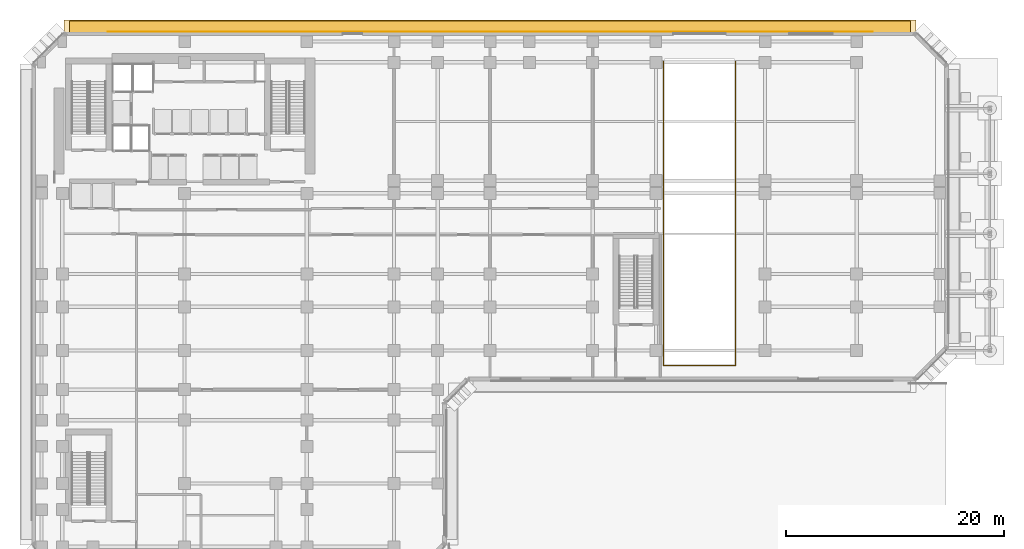
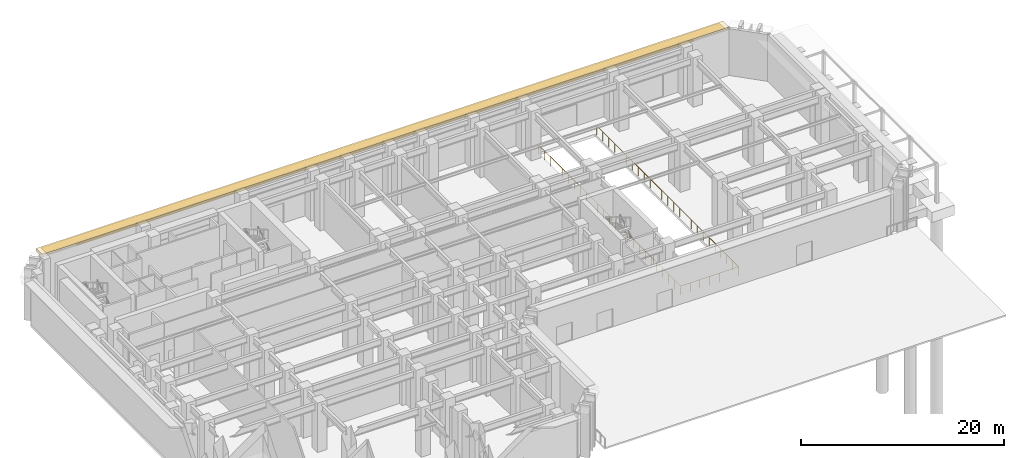
# One storey, part 16 of 18: 2 coverings, 1 railing, 1 shading device.
"""IFC4 building model written with IfcOpenShell, lengths in metres."""

from ifc_helpers import new_model, si_unit, direction, frame, origin, origin_2d, place, context, subcontext, project, spatial, rectangle, circle, extrude, material, layer, layer_set, type_object, element, save


model = new_model("IFC4")

# Units and contexts
model_context = context("Model", 3, precision=1e-05, world=origin(), true_north=direction((0.0, 1.0)))
body_context = subcontext(model_context, "Body", "Model", "MODEL_VIEW")
ifc_project = project(units=[si_unit("LENGTHUNIT", "METRE"), si_unit("AREAUNIT", "SQUARE_METRE"), si_unit("VOLUMEUNIT", "CUBIC_METRE"), si_unit("PLANEANGLEUNIT", "RADIAN"), si_unit("MASSUNIT", "GRAM", prefix="KILO")], contexts=[model_context])

# Site, building, storey
site_placement = place(None, origin())
site = spatial("IfcSite", under=ifc_project, at=site_placement, CompositionType="ELEMENT")
building_placement = place(site_placement, origin())
building = spatial("IfcBuilding", under=site, at=building_placement, Name="Kefirva Bronze Tower", CompositionType="ELEMENT")
storey_placement = place(building_placement, origin())
storey = spatial("IfcBuildingStorey", under=building, at=storey_placement, Name="L00", CompositionType="ELEMENT", Elevation=0.0)

# Covering
ifc_material_1 = material(Name="Bronze anodised aluminium", Category="aluminium")
ifc_layer_1 = layer(ifc_material_1, 0.02001953125, Name="Bronze anodised aluminium")
ifc_layer_set_1 = layer_set([ifc_layer_1], Name="Bronze anodised aluminium")
covering_type_1 = type_object("IfcCoveringType", Name="Anodised Bronze Spandrel Cladding 20mm", PredefinedType="CLADDING", material=ifc_layer_set_1)
covering_1_placement = place(storey_placement, frame((40.0, 48.010009765625, 5.199951171875), z_axis=(0.0, 0.0, 1.0), x_axis=(-1.0, 0.0, 0.0)))
element("IfcCovering", 1, at=covering_1_placement, inside=storey, type_object=covering_type_1, Name="L00 Bronze Spandrel Cladding 9", PredefinedType="CLADDING", context=body_context, shape_type="SweptSolid", body=[
    extrude(rectangle(XDim=70.10107421875, YDim=0.02001953125, at=origin_2d()), origin(), (0.0, 0.0, 1.0), 0.39990234375),
])

# Railing
ifc_material_2 = material(Name="Stainless steel 316", Category="steel")
railing_type = type_object("IfcRailingType", Name="Interior Stair Guardrail 1100mm", PredefinedType="GUARDRAIL", material=ifc_material_2)
railing_placement = place(storey_placement, frame((55.89990234375, 45.300048828125, 0.0)))
element("IfcRailing", 2, at=railing_placement, inside=storey, type_object=railing_type, Name="L00 Car Ramp Well Guardrail", PredefinedType="GUARDRAIL", context=body_context, shape_type="SweptSolid", body=[
    extrude(circle(Radius=0.02392578125, at=origin_2d()), frame((0.0, 0.0, 1.076171875), z_axis=(0.0, -1.0, 0.0), x_axis=(1.0, 0.0, 0.0)), (0.0, 0.0, 1.0), 27.900146484375),
    extrude(circle(Radius=0.02392578125, at=origin_2d()), frame((0.0, -27.900146484375, 1.076171875), z_axis=(1.0, 0.0, 0.0), x_axis=(0.0, 1.0, 0.0)), (0.0, 0.0, 1.0), 6.60009765625),
    extrude(circle(Radius=0.02392578125, at=origin_2d()), frame((6.60009765625, -27.900146484375, 1.076171875), z_axis=(0.0, 1.0, 0.0), x_axis=(-1.0, 0.0, 0.0)), (0.0, 0.0, 1.0), 27.900146484375),
    extrude(circle(Radius=0.02099609375, at=origin_2d()), origin(), (0.0, 0.0, 1.0), 1.052001953125),
    extrude(circle(Radius=0.02099609375, at=origin_2d()), frame((0.0, -1.16259765625, 0.0)), (0.0, 0.0, 1.0), 1.052001953125),
    extrude(circle(Radius=0.02099609375, at=origin_2d()), frame((0.0, -2.324951171875, 0.0)), (0.0, 0.0, 1.0), 1.052001953125),
    extrude(circle(Radius=0.02099609375, at=origin_2d()), frame((0.0, -3.487548828125, 0.0)), (0.0, 0.0, 1.0), 1.052001953125),
    extrude(circle(Radius=0.02099609375, at=origin_2d()), frame((0.0, -4.64990234375, 0.0)), (0.0, 0.0, 1.0), 1.052001953125),
    extrude(circle(Radius=0.02099609375, at=origin_2d()), frame((0.0, -5.8125, 0.0)), (0.0, 0.0, 1.0), 1.052001953125),
    extrude(circle(Radius=0.02099609375, at=origin_2d()), frame((0.0, -6.97509765625, 0.0)), (0.0, 0.0, 1.0), 1.052001953125),
    extrude(circle(Radius=0.02099609375, at=origin_2d()), frame((0.0, -8.137451171875, 0.0)), (0.0, 0.0, 1.0), 1.052001953125),
    extrude(circle(Radius=0.02099609375, at=origin_2d()), frame((0.0, -9.300048828125, 0.0)), (0.0, 0.0, 1.0), 1.052001953125),
    extrude(circle(Radius=0.02099609375, at=origin_2d()), frame((0.0, -10.462646484375, 0.0)), (0.0, 0.0, 1.0), 1.052001953125),
    extrude(circle(Radius=0.02099609375, at=origin_2d()), frame((0.0, -11.625, 0.0)), (0.0, 0.0, 1.0), 1.052001953125),
    extrude(circle(Radius=0.02099609375, at=origin_2d()), frame((0.0, -12.78759765625, 0.0)), (0.0, 0.0, 1.0), 1.052001953125),
    extrude(circle(Radius=0.02099609375, at=origin_2d()), frame((0.0, -13.9501953125, 0.0)), (0.0, 0.0, 1.0), 1.052001953125),
    extrude(circle(Radius=0.02099609375, at=origin_2d()), frame((0.0, -15.112548828125, 0.0)), (0.0, 0.0, 1.0), 1.052001953125),
    extrude(circle(Radius=0.02099609375, at=origin_2d()), frame((0.0, -16.275146484375, 0.0)), (0.0, 0.0, 1.0), 1.052001953125),
    extrude(circle(Radius=0.02099609375, at=origin_2d()), frame((0.0, -17.4375, 0.0)), (0.0, 0.0, 1.0), 1.052001953125),
    extrude(circle(Radius=0.02099609375, at=origin_2d()), frame((0.0, -18.60009765625, 0.0)), (0.0, 0.0, 1.0), 1.052001953125),
    extrude(circle(Radius=0.02099609375, at=origin_2d()), frame((0.0, -19.7626953125, 0.0)), (0.0, 0.0, 1.0), 1.052001953125),
    extrude(circle(Radius=0.02099609375, at=origin_2d()), frame((0.0, -20.925048828125, 0.0)), (0.0, 0.0, 1.0), 1.052001953125),
    extrude(circle(Radius=0.02099609375, at=origin_2d()), frame((0.0, -22.087646484375, 0.0)), (0.0, 0.0, 1.0), 1.052001953125),
    extrude(circle(Radius=0.02099609375, at=origin_2d()), frame((0.0, -23.25, 0.0)), (0.0, 0.0, 1.0), 1.052001953125),
    extrude(circle(Radius=0.02099609375, at=origin_2d()), frame((0.0, -24.41259765625, 0.0)), (0.0, 0.0, 1.0), 1.052001953125),
    extrude(circle(Radius=0.02099609375, at=origin_2d()), frame((0.0, -25.5751953125, 0.0)), (0.0, 0.0, 1.0), 1.052001953125),
    extrude(circle(Radius=0.02099609375, at=origin_2d()), frame((0.0, -26.737548828125, 0.0)), (0.0, 0.0, 1.0), 1.052001953125),
    extrude(circle(Radius=0.02099609375, at=origin_2d()), frame((0.0, -27.900146484375, 0.0)), (0.0, 0.0, 1.0), 1.052001953125),
    extrude(circle(Radius=0.02099609375, at=origin_2d()), frame((1.10009765625, -27.900146484375, 0.0)), (0.0, 0.0, 1.0), 1.052001953125),
    extrude(circle(Radius=0.02099609375, at=origin_2d()), frame((2.199951171875, -27.900146484375, 0.0)), (0.0, 0.0, 1.0), 1.052001953125),
    extrude(circle(Radius=0.02099609375, at=origin_2d()), frame((3.300048828125, -27.900146484375, 0.0)), (0.0, 0.0, 1.0), 1.052001953125),
    extrude(circle(Radius=0.02099609375, at=origin_2d()), frame((4.400146484375, -27.900146484375, 0.0)), (0.0, 0.0, 1.0), 1.052001953125),
    extrude(circle(Radius=0.02099609375, at=origin_2d()), frame((5.5, -27.900146484375, 0.0)), (0.0, 0.0, 1.0), 1.052001953125),
    extrude(circle(Radius=0.02099609375, at=origin_2d()), frame((6.60009765625, -27.900146484375, 0.0)), (0.0, 0.0, 1.0), 1.052001953125),
    extrude(circle(Radius=0.02099609375, at=origin_2d()), frame((6.60009765625, -26.737548828125, 0.0)), (0.0, 0.0, 1.0), 1.052001953125),
    extrude(circle(Radius=0.02099609375, at=origin_2d()), frame((6.60009765625, -25.5751953125, 0.0)), (0.0, 0.0, 1.0), 1.052001953125),
    extrude(circle(Radius=0.02099609375, at=origin_2d()), frame((6.60009765625, -24.41259765625, 0.0)), (0.0, 0.0, 1.0), 1.052001953125),
    extrude(circle(Radius=0.02099609375, at=origin_2d()), frame((6.60009765625, -23.25, 0.0)), (0.0, 0.0, 1.0), 1.052001953125),
    extrude(circle(Radius=0.02099609375, at=origin_2d()), frame((6.60009765625, -22.087646484375, 0.0)), (0.0, 0.0, 1.0), 1.052001953125),
    extrude(circle(Radius=0.02099609375, at=origin_2d()), frame((6.60009765625, -20.925048828125, 0.0)), (0.0, 0.0, 1.0), 1.052001953125),
    extrude(circle(Radius=0.02099609375, at=origin_2d()), frame((6.60009765625, -19.7626953125, 0.0)), (0.0, 0.0, 1.0), 1.052001953125),
    extrude(circle(Radius=0.02099609375, at=origin_2d()), frame((6.60009765625, -18.60009765625, 0.0)), (0.0, 0.0, 1.0), 1.052001953125),
    extrude(circle(Radius=0.02099609375, at=origin_2d()), frame((6.60009765625, -17.4375, 0.0)), (0.0, 0.0, 1.0), 1.052001953125),
    extrude(circle(Radius=0.02099609375, at=origin_2d()), frame((6.60009765625, -16.275146484375, 0.0)), (0.0, 0.0, 1.0), 1.052001953125),
    extrude(circle(Radius=0.02099609375, at=origin_2d()), frame((6.60009765625, -15.112548828125, 0.0)), (0.0, 0.0, 1.0), 1.052001953125),
    extrude(circle(Radius=0.02099609375, at=origin_2d()), frame((6.60009765625, -13.9501953125, 0.0)), (0.0, 0.0, 1.0), 1.052001953125),
    extrude(circle(Radius=0.02099609375, at=origin_2d()), frame((6.60009765625, -12.78759765625, 0.0)), (0.0, 0.0, 1.0), 1.052001953125),
    extrude(circle(Radius=0.02099609375, at=origin_2d()), frame((6.60009765625, -11.625, 0.0)), (0.0, 0.0, 1.0), 1.052001953125),
    extrude(circle(Radius=0.02099609375, at=origin_2d()), frame((6.60009765625, -10.462646484375, 0.0)), (0.0, 0.0, 1.0), 1.052001953125),
    extrude(circle(Radius=0.02099609375, at=origin_2d()), frame((6.60009765625, -9.300048828125, 0.0)), (0.0, 0.0, 1.0), 1.052001953125),
    extrude(circle(Radius=0.02099609375, at=origin_2d()), frame((6.60009765625, -8.137451171875, 0.0)), (0.0, 0.0, 1.0), 1.052001953125),
    extrude(circle(Radius=0.02099609375, at=origin_2d()), frame((6.60009765625, -6.97509765625, 0.0)), (0.0, 0.0, 1.0), 1.052001953125),
    extrude(circle(Radius=0.02099609375, at=origin_2d()), frame((6.60009765625, -5.8125, 0.0)), (0.0, 0.0, 1.0), 1.052001953125),
    extrude(circle(Radius=0.02099609375, at=origin_2d()), frame((6.60009765625, -4.64990234375, 0.0)), (0.0, 0.0, 1.0), 1.052001953125),
    extrude(circle(Radius=0.02099609375, at=origin_2d()), frame((6.60009765625, -3.487548828125, 0.0)), (0.0, 0.0, 1.0), 1.052001953125),
    extrude(circle(Radius=0.02099609375, at=origin_2d()), frame((6.60009765625, -2.324951171875, 0.0)), (0.0, 0.0, 1.0), 1.052001953125),
    extrude(circle(Radius=0.02099609375, at=origin_2d()), frame((6.60009765625, -1.16259765625, 0.0)), (0.0, 0.0, 1.0), 1.052001953125),
    extrude(circle(Radius=0.02099609375, at=origin_2d()), frame((6.60009765625, 0.0, 0.0)), (0.0, 0.0, 1.0), 1.052001953125),
])

# Shading device
ifc_layer_2 = layer(ifc_material_1, 0.1201171875, Name="Bronze anodised aluminium")
ifc_layer_set_2 = layer_set([ifc_layer_2], Name="Bronze anodised aluminium")
shading_device_type = type_object("IfcShadingDeviceType", Name="Podium Deep Bronze Canopy Sunshade 1050mm", PredefinedType="JALOUSIE", material=ifc_layer_set_2)
shading_device_placement = place(storey_placement, frame((40.0, 48.445068359375, 5.51513671875), z_axis=(0.0, 0.0, 1.0), x_axis=(-1.0, 0.0, 0.0)))
element("IfcShadingDevice", 3, at=shading_device_placement, inside=storey, type_object=shading_device_type, Name="L00 Horizontal Bronze Sunshade Band 8", PredefinedType="JALOUSIE", context=body_context, shape_type="SweptSolid", body=[
    extrude(rectangle(XDim=77.090087890625, YDim=1.050048828125, at=origin_2d()), origin(), (0.0, 0.0, 1.0), 0.090087890625),
])

# Covering
ifc_layer_3 = layer(ifc_material_1, 0.179931640625, Name="Bronze anodised aluminium")
ifc_layer_set_3 = layer_set([ifc_layer_3], Name="Bronze anodised aluminium")
covering_type_2 = type_object("IfcCoveringType", Name="Streamline Bronze Sunshade Eyebrow Cladding 180mm", PredefinedType="CLADDING", material=ifc_layer_set_3)
covering_2_placement = place(storey_placement, frame((40.0, 48.4599609375, 5.2998046875), z_axis=(0.0, 0.0, 1.0), x_axis=(-1.0, 0.0, 0.0)))
element("IfcCovering", 4, at=covering_2_placement, inside=storey, type_object=covering_type_2, Name="L00 Streamline Bronze Sunshade Eyebrow 8", PredefinedType="CLADDING", context=body_context, shape_type="SweptSolid", body=[
    extrude(rectangle(XDim=78.080078125, YDim=1.239990234375, at=origin_2d()), origin(), (0.0, 0.0, 1.0), 0.320068359375),
])

save(model, "model.ifc")
